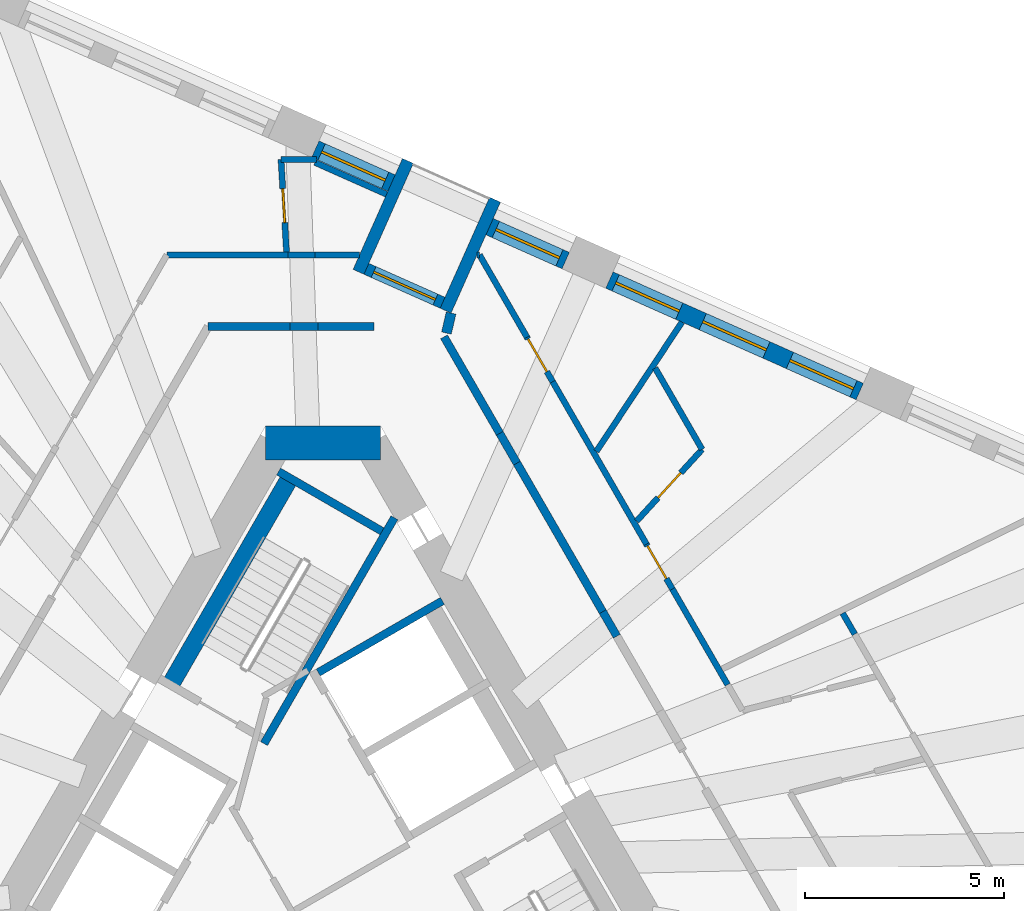
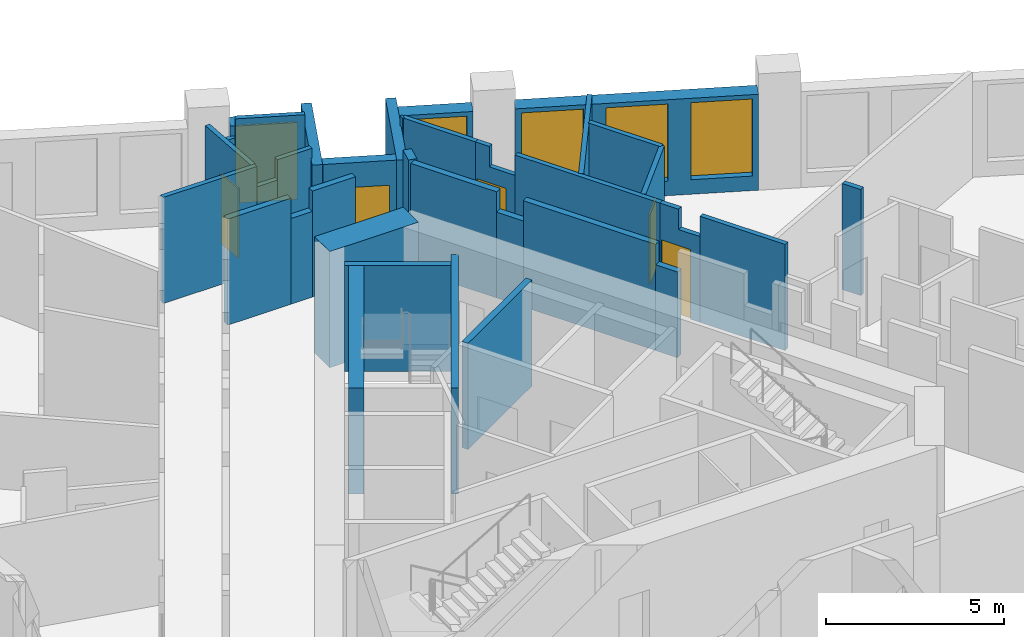
# One storey, part 8 of 14: 35 walls, 5 doors, 5 windows, 10 openings.
"""IFC4 building model written with IfcOpenShell, lengths in metres."""

from ifc_helpers import new_model, si_unit, direction, frame, frame_2d, origin, place, context, subcontext, project, spatial, polyline, rectangle, outline, extrude, material, layer, layer_set, type_object, element, fill, save


model = new_model("IFC4")

# Units and contexts
model_context = context("Model", 3, precision=1e-05, world=origin(), true_north=direction((0.0, 1.0)))
body_context = subcontext(model_context, "Body", "Model", "MODEL_VIEW")
ifc_project = project(units=[si_unit("LENGTHUNIT", "METRE"), si_unit("AREAUNIT", "SQUARE_METRE"), si_unit("VOLUMEUNIT", "CUBIC_METRE"), si_unit("PLANEANGLEUNIT", "RADIAN"), si_unit("MASSUNIT", "GRAM", prefix="KILO")], contexts=[model_context])

# Site, building, storey
site_placement = place(None, origin())
site = spatial("IfcSite", under=ifc_project, at=site_placement, CompositionType="ELEMENT")
building_placement = place(site_placement, origin())
building = spatial("IfcBuilding", under=site, at=building_placement, Name="Tramontana Tower", CompositionType="ELEMENT")
storey_placement = place(building_placement, frame((0.0, 0.0, 182.800048828125)))
storey = spatial("IfcBuildingStorey", under=building, at=storey_placement, Name="L42", CompositionType="ELEMENT", Elevation=182.800048828125)

# Walls
ifc_material_1 = material(Name="Concrete 70 MPa", Category="concrete")
ifc_layer_1 = layer(ifc_material_1, 0.85009765625)
ifc_layer_set_1 = layer_set([ifc_layer_1], Name="Core wall 850 70 MPa")
wall_type_1 = type_object("IfcWallType", Name="Core wall 850 70 MPa", PredefinedType="SHEAR", material=ifc_layer_set_1)
wall_1_placement = place(storey_placement, frame((1.443359375, 10.574951171875, 0.0), z_axis=(0.0, 0.0, 1.0), x_axis=(-1.0, 0.0, 0.0)))
element("IfcWall", 1, at=wall_1_placement, inside=storey, type_object=wall_type_1, Name="Core wall C0 L42", PredefinedType="SHEAR", context=body_context, shape_type="SweptSolid", body=[
    extrude(rectangle(XDim=2.88671875, YDim=0.85009765625, at=frame_2d((1.443359375, 0.0))), origin(), (0.0, 0.0, 1.0), 4.0),
])
ifc_material_2 = material(Name="Blockwork", Category="masonry")
ifc_layer_2 = layer(ifc_material_2, 0.199951171875)
ifc_layer_set_2 = layer_set([ifc_layer_2], Name="ENTRY WALL 200")
wall_type_2 = type_object("IfcWallType", Name="ENTRY WALL 200", PredefinedType="SOLIDWALL", material=ifc_layer_set_2)
wall_2_placement = place(storey_placement, frame((3.034912109375, 13.243408203125, 0.0), z_axis=(0.0, 0.0, 1.0), x_axis=(0.499976698542, -0.86603885647, 0.0)))
element("IfcWall", 2, at=wall_2_placement, inside=storey, type_object=wall_type_2, Name="Wall v41-ew0-0", PredefinedType="SOLIDWALL", context=body_context, shape_type="SweptSolid", body=[
    extrude(rectangle(XDim=2.798583984375, YDim=0.199951171875, at=frame_2d((1.3994140625, 0.0))), origin(), (0.0, 0.0, 1.0), 3.64990234375),
])
wall_3_placement = place(storey_placement, frame((4.43408203125, 10.81982421875, 0.0), z_axis=(0.0, 0.0, 1.0), x_axis=(0.500023708017, -0.866011715522, 0.0)))
element("IfcWall", 3, at=wall_3_placement, inside=storey, type_object=wall_type_2, Name="Wall v41-ew0-1", PredefinedType="SOLIDWALL", context=body_context, shape_type="SweptSolid", body=[
    extrude(rectangle(XDim=0.865234375, YDim=0.199951171875, at=frame_2d((0.4326171875, 0.0))), origin(), (0.0, 0.0, 1.0), 2.949951171875),
])
wall_4_placement = place(storey_placement, frame((4.86669921875, 10.070556640625, 0.0), z_axis=(0.0, 0.0, 1.0), x_axis=(0.499992344383, -0.866029823712, 0.0)))
element("IfcWall", 4, at=wall_4_placement, inside=storey, type_object=wall_type_2, Name="Wall v41-ew0-2", PredefinedType="SOLIDWALL", context=body_context, shape_type="SweptSolid", body=[
    extrude(rectangle(XDim=4.306640625, YDim=0.199951171875, at=frame_2d((2.1533203125, 0.0))), origin(), (0.0, 0.0, 1.0), 3.64990234375),
])
wall_5_placement = place(storey_placement, frame((7.02001953125, 6.3408203125, 0.0), z_axis=(0.0, 0.0, 1.0), x_axis=(0.50012879774, -0.865951029603, 0.0)))
element("IfcWall", 5, at=wall_5_placement, inside=storey, type_object=wall_type_2, Name="Wall v41-ew0-3", PredefinedType="SOLIDWALL", context=body_context, shape_type="SweptSolid", body=[
    extrude(rectangle(XDim=0.710693359375, YDim=0.199951171875, at=frame_2d((0.35546875, 0.0))), origin(), (0.0, 0.0, 1.0), 2.949951171875),
])
wall_6_placement = place(storey_placement, frame((-2.88671875, 13.5, 0.0), z_axis=(0.0, 0.0, 1.0), x_axis=(1.0, 0.0, 0.0)))
element("IfcWall", 6, at=wall_6_placement, inside=storey, type_object=wall_type_2, Name="Wall v41-ew5-0", PredefinedType="SOLIDWALL", context=body_context, shape_type="SweptSolid", body=[
    extrude(rectangle(XDim=2.057861328125, YDim=0.199951171875, at=frame_2d((1.02880859375, 0.0))), origin(), (0.0, 0.0, 1.0), 3.64990234375),
])
wall_7_placement = place(storey_placement, frame((-0.828857421875, 13.5, 0.0), z_axis=(0.0, 0.0, 1.0), x_axis=(1.0, 0.0, 0.0)))
element("IfcWall", 7, at=wall_7_placement, inside=storey, type_object=wall_type_2, Name="Wall v41-ew5-1", PredefinedType="SOLIDWALL", context=body_context, shape_type="SweptSolid", body=[
    extrude(rectangle(XDim=0.700439453125, YDim=0.199951171875, at=frame_2d((0.35009765625, 0.0))), origin(), (0.0, 0.0, 1.0), 2.949951171875),
])
wall_8_placement = place(storey_placement, frame((-0.12841796875, 13.5, 0.0), z_axis=(0.0, 0.0, 1.0), x_axis=(1.0, 0.0, 0.0)))
element("IfcWall", 8, at=wall_8_placement, inside=storey, type_object=wall_type_2, Name="Wall v41-ew5-2", PredefinedType="SOLIDWALL", context=body_context, shape_type="SweptSolid", body=[
    extrude(rectangle(XDim=1.39990234375, YDim=0.199951171875, at=frame_2d((0.699951171875, 0.0))), origin(), (0.0, 0.0, 1.0), 3.64990234375),
])

# Wall, openings, windows
ifc_material_3 = material(Name="Precast concrete 60 MPa", Category="concrete")
ifc_layer_3 = layer(ifc_material_3, 0.449951171875)
ifc_layer_set_3 = layer_set([ifc_layer_3], Name="Precast concrete 60 MPa, 450 mm")
wall_type_3 = type_object("IfcWallType", Name="EW1 Stone-faced precast wall 450", PredefinedType="SOLIDWALL", material=ifc_layer_set_3)
wall_9_placement = place(storey_placement, frame((13.475830078125, 11.8701171875, 0.0), z_axis=(0.0, 0.0, 1.0), x_axis=(-0.913543675585, 0.40674064562, 0.0)))
wall_9 = element("IfcWall", 9, at=wall_9_placement, inside=storey, type_object=wall_type_3, Name="External wall L42 face 2 bay 3", PredefinedType="SOLIDWALL", context=body_context, shape_type="SweptSolid", body=[
    extrude(rectangle(XDim=6.8828125, YDim=0.449951171875, at=frame_2d((3.44140625, 0.0))), origin(), (0.0, 0.0, 1.0), 3.300048828125),
])
opening_1_placement = place(wall_9_placement, frame((0.172119140625, 0.0, 0.5)))
opening_1 = element("IfcOpeningElement", 10, at=opening_1_placement, cuts=wall_9, Name="Opening M2", PredefinedType="OPENING", context=body_context, shape_type="SweptSolid", body=[
    extrude(rectangle(XDim=1.75, YDim=2.64990234375, at=frame_2d((0.875, 1.324951171875))), frame((0.0, 0.23486328125, 0.0), z_axis=(0.0, -1.0, 0.0), x_axis=(1.0, 0.0, 0.0)), (0.0, 0.0, 1.0), 0.469970703125),
])
opening_2_placement = place(wall_9_placement, frame((2.56640625, 0.0, 0.5)))
opening_2 = element("IfcOpeningElement", 11, at=opening_2_placement, cuts=wall_9, Name="Opening M2", PredefinedType="OPENING", context=body_context, shape_type="SweptSolid", body=[
    extrude(rectangle(XDim=1.75, YDim=2.64990234375, at=frame_2d((0.875, 1.324951171875))), frame((0.0, 0.23486328125, 0.0), z_axis=(0.0, -1.0, 0.0), x_axis=(1.0, 0.0, 0.0)), (0.0, 0.0, 1.0), 0.469970703125),
])
opening_3_placement = place(wall_9_placement, frame((4.960693359375, 0.0, 0.5)))
opening_3 = element("IfcOpeningElement", 12, at=opening_3_placement, cuts=wall_9, Name="Opening M2", PredefinedType="OPENING", context=body_context, shape_type="SweptSolid", body=[
    extrude(rectangle(XDim=1.75, YDim=2.64990234375, at=frame_2d((0.875, 1.324951171875))), frame((0.0, 0.23486328125, 0.0), z_axis=(0.0, -1.0, 0.0), x_axis=(1.0, 0.0, 0.0)), (0.0, 0.0, 1.0), 0.469970703125),
])
ifc_material_4 = material(Name="Aluminum frame, double glazing unit", Category="aluminium")
window_type = type_object("IfcWindowType", Name="M2 Window 1.75 x 2.65", PartitioningType="SINGLE_PANEL", PredefinedType="WINDOW", material=ifc_material_4)
window_1_placement = place(opening_1_placement, origin())
window_1 = element("IfcWindow", 13, at=window_1_placement, inside=storey, type_object=window_type, Name="Window M2 L42 face 2 module 7", OverallHeight=2.64990234375, OverallWidth=1.75, PartitioningType="SINGLE_PANEL", PredefinedType="WINDOW", context=body_context, shape_type="SweptSolid", body=[
    extrude(rectangle(XDim=1.75, YDim=2.64990234375, at=frame_2d((0.875, 1.324951171875))), frame((0.0, 0.030029296875, 0.0), z_axis=(0.0, -1.0, 0.0), x_axis=(1.0, 0.0, 0.0)), (0.0, 0.0, 1.0), 0.06005859375),
])
fill(opening_1, window_1)
window_2_placement = place(opening_2_placement, origin())
window_2 = element("IfcWindow", 14, at=window_2_placement, inside=storey, type_object=window_type, Name="Window M2 L42 face 2 module 8", OverallHeight=2.64990234375, OverallWidth=1.75, PartitioningType="SINGLE_PANEL", PredefinedType="WINDOW", context=body_context, shape_type="SweptSolid", body=[
    extrude(rectangle(XDim=1.75, YDim=2.64990234375, at=frame_2d((0.875, 1.324951171875))), frame((0.0, 0.030029296875, 0.0), z_axis=(0.0, -1.0, 0.0), x_axis=(1.0, 0.0, 0.0)), (0.0, 0.0, 1.0), 0.06005859375),
])
fill(opening_2, window_2)
window_3_placement = place(opening_3_placement, origin())
window_3 = element("IfcWindow", 15, at=window_3_placement, inside=storey, type_object=window_type, Name="Window M2 L42 face 2 module 9", OverallHeight=2.64990234375, OverallWidth=1.75, PartitioningType="SINGLE_PANEL", PredefinedType="WINDOW", context=body_context, shape_type="SweptSolid", body=[
    extrude(rectangle(XDim=1.75, YDim=2.64990234375, at=frame_2d((0.875, 1.324951171875))), frame((0.0, 0.030029296875, 0.0), z_axis=(0.0, -1.0, 0.0), x_axis=(1.0, 0.0, 0.0)), (0.0, 0.0, 1.0), 0.06005859375),
])
fill(opening_3, window_3)

# Wall, opening, window
wall_10_placement = place(storey_placement, frame((6.091796875, 15.15771484375, 0.0), z_axis=(0.0, 0.0, 1.0), x_axis=(-0.913537312596, 0.406754936657, 0.0)))
wall_10 = element("IfcWall", 16, at=wall_10_placement, inside=storey, type_object=wall_type_3, Name="External wall L42 face 2 bay 4", PredefinedType="SOLIDWALL", context=body_context, shape_type="SweptSolid", body=[
    extrude(rectangle(XDim=2.09423828125, YDim=0.449951171875, at=frame_2d((1.047119140625, 0.0))), origin(), (0.0, 0.0, 1.0), 3.300048828125),
])
opening_4_placement = place(wall_10_placement, frame((0.172119140625, 0.0, 0.5)))
opening_4 = element("IfcOpeningElement", 17, at=opening_4_placement, cuts=wall_10, Name="Opening M2", PredefinedType="OPENING", context=body_context, shape_type="SweptSolid", body=[
    extrude(rectangle(XDim=1.75, YDim=2.64990234375, at=frame_2d((0.875, 1.324951171875))), frame((0.0, 0.23486328125, 0.0), z_axis=(0.0, -1.0, 0.0), x_axis=(1.0, 0.0, 0.0)), (0.0, 0.0, 1.0), 0.469970703125),
])
window_4_placement = place(opening_4_placement, origin())
window_4 = element("IfcWindow", 18, at=window_4_placement, inside=storey, type_object=window_type, Name="Window M2 L42 face 2 module 10", OverallHeight=2.64990234375, OverallWidth=1.75, PartitioningType="SINGLE_PANEL", PredefinedType="WINDOW", context=body_context, shape_type="SweptSolid", body=[
    extrude(rectangle(XDim=1.75, YDim=2.64990234375, at=frame_2d((0.875, 1.324951171875))), frame((0.0, 0.030029296875, 0.0), z_axis=(0.0, -1.0, 0.0), x_axis=(1.0, 0.0, 0.0)), (0.0, 0.0, 1.0), 0.06005859375),
])
fill(opening_4, window_4)

wall_11_placement = place(storey_placement, frame((1.71728515625, 17.10546875, 0.0), z_axis=(0.0, 0.0, 1.0), x_axis=(-0.913556597974, 0.40671162056, 0.0)))
wall_11 = element("IfcWall", 19, at=wall_11_placement, inside=storey, type_object=wall_type_3, Name="External wall L42 face 2 bay 4", PredefinedType="SOLIDWALL", context=body_context, shape_type="SweptSolid", body=[
    extrude(rectangle(XDim=2.094482421875, YDim=0.449951171875, at=frame_2d((1.04736328125, 0.0))), origin(), (0.0, 0.0, 1.0), 3.300048828125),
])
opening_5_placement = place(wall_11_placement, frame((0.172119140625, 0.0, 0.5)))
opening_5 = element("IfcOpeningElement", 20, at=opening_5_placement, cuts=wall_11, Name="Opening M2", PredefinedType="OPENING", context=body_context, shape_type="SweptSolid", body=[
    extrude(rectangle(XDim=1.75, YDim=2.64990234375, at=frame_2d((0.875, 1.324951171875))), frame((0.0, 0.23486328125, 0.0), z_axis=(0.0, -1.0, 0.0), x_axis=(1.0, 0.0, 0.0)), (0.0, 0.0, 1.0), 0.469970703125),
])
window_5_placement = place(opening_5_placement, origin())
window_5 = element("IfcWindow", 21, at=window_5_placement, inside=storey, type_object=window_type, Name="Window M2 L42 face 2 module 12", OverallHeight=2.64990234375, OverallWidth=1.75, PartitioningType="SINGLE_PANEL", PredefinedType="WINDOW", context=body_context, shape_type="SweptSolid", body=[
    extrude(rectangle(XDim=1.75, YDim=2.64990234375, at=frame_2d((0.875, 1.324951171875))), frame((0.0, 0.030029296875, 0.0), z_axis=(0.0, -1.0, 0.0), x_axis=(1.0, 0.0, 0.0)), (0.0, 0.0, 1.0), 0.06005859375),
])
fill(opening_5, window_5)

# Wall, opening, door
ifc_material_5 = material(Name="Precast concrete 60 MPa", Category="concrete")
ifc_layer_4 = layer(ifc_material_5, 0.300048828125)
ifc_layer_set_4 = layer_set([ifc_layer_4], Name="LW1 Stone-faced loggia wall 300")
wall_type_4 = type_object("IfcWallType", Name="LW1 Stone-faced loggia wall 300", PredefinedType="SOLIDWALL", material=ifc_layer_set_4)
wall_12_placement = place(storey_placement, frame((2.99951171875, 14.098876953125, 0.0), z_axis=(0.0, 0.0, 1.0), x_axis=(-0.913537312596, 0.406754936657, 0.0)))
wall_12 = element("IfcWall", 22, at=wall_12_placement, inside=storey, type_object=wall_type_4, Name="Loggia wall L42 G4S2.10", PredefinedType="SOLIDWALL", context=body_context, shape_type="SweptSolid", body=[
    extrude(rectangle(XDim=2.09423828125, YDim=0.300048828125, at=frame_2d((1.047119140625, 0.0))), origin(), (0.0, 0.0, 1.0), 3.300048828125),
])
opening_6_placement = place(wall_12_placement, frame((0.197265625, 0.0, 0.0)))
opening_6 = element("IfcOpeningElement", 23, at=opening_6_placement, cuts=wall_12, Name="Opening BD-4S2-10", PredefinedType="OPENING", context=body_context, shape_type="SweptSolid", body=[
    extrude(rectangle(XDim=1.699951171875, YDim=2.449951171875, at=frame_2d((0.85009765625, 1.22509765625))), frame((0.0, 0.159912109375, 0.0), z_axis=(0.0, -1.0, 0.0), x_axis=(1.0, 0.0, 0.0)), (0.0, 0.0, 1.0), 0.320068359375),
])
ifc_material_6 = material(Name="Aluminum frame, double glazing unit", Category="aluminium")
door_type_1 = type_object("IfcDoorType", Name="BD2 Sliding door 1.7 x 2.45", OperationType="SLIDING_TO_LEFT", PredefinedType="DOOR", material=ifc_material_6)
door_1_placement = place(opening_6_placement, origin())
door_1 = element("IfcDoor", 24, at=door_1_placement, inside=storey, type_object=door_type_1, Name="Loggia door L42 G4S2.10", OperationType="SLIDING_TO_LEFT", OverallHeight=2.449951171875, OverallWidth=1.699951171875, PredefinedType="DOOR", context=body_context, shape_type="SweptSolid", body=[
    extrude(rectangle(XDim=1.699951171875, YDim=2.449951171875, at=frame_2d((0.85009765625, 1.22509765625))), frame((0.0, 0.02490234375, 0.0), z_axis=(0.0, -1.0, 0.0), x_axis=(1.0, 0.0, 0.0)), (0.0, 0.0, 1.0), 0.050048828125),
])
fill(opening_6, door_1)

# Walls
wall_13_placement = place(storey_placement, frame((4.316162109375, 16.687255859375, 0.0), z_axis=(0.0, 0.0, 1.0), x_axis=(-0.406710256677, -0.913557205168, 0.0)))
element("IfcWall", 25, at=wall_13_placement, inside=storey, type_object=wall_type_4, Name="Loggia return L42 G4S2.10a", PredefinedType="SOLIDWALL", context=body_context, shape_type="SweptSolid", body=[
    extrude(rectangle(XDim=3.050048828125, YDim=0.300048828125, at=frame_2d((1.52490234375, 0.0))), origin(), (0.0, 0.0, 1.0), 3.300048828125),
])
wall_14_placement = place(storey_placement, frame((2.12890625, 17.660888671875, 0.0), z_axis=(0.0, 0.0, 1.0), x_axis=(-0.406806804169, -0.913514216683, 0.0)))
element("IfcWall", 26, at=wall_14_placement, inside=storey, type_object=wall_type_4, Name="Loggia return L42 G4S2.10b", PredefinedType="SOLIDWALL", context=body_context, shape_type="SweptSolid", body=[
    extrude(rectangle(XDim=3.0498046875, YDim=0.300048828125, at=frame_2d((1.52490234375, 0.0))), origin(), (0.0, 0.0, 1.0), 3.300048828125),
])
ifc_material_7 = material(Name="Gypsum board partition")
ifc_layer_5 = layer(ifc_material_7, 0.14990234375)
ifc_layer_set_5 = layer_set([ifc_layer_5], Name="PARTITION 150")
wall_type_5 = type_object("IfcWallType", Name="PARTITION 150", PredefinedType="PARTITIONING", material=ifc_layer_set_5)
wall_15_placement = place(storey_placement, frame((-3.92578125, 15.300048828125, 0.0), z_axis=(0.0, 0.0, 1.0), x_axis=(1.0, 0.0, 0.0)))
element("IfcWall", 27, at=wall_15_placement, inside=storey, type_object=wall_type_5, Name="Wall v41-pw23-0", PredefinedType="PARTITIONING", context=body_context, shape_type="SweptSolid", body=[
    extrude(rectangle(XDim=3.045654296875, YDim=0.14990234375, at=frame_2d((1.52294921875, 0.0))), origin(), (0.0, 0.0, 1.0), 3.64990234375),
])
wall_16_placement = place(storey_placement, frame((-0.880126953125, 15.300048828125, 0.0), z_axis=(0.0, 0.0, 1.0), x_axis=(1.0, 0.0, 0.0)))
element("IfcWall", 28, at=wall_16_placement, inside=storey, type_object=wall_type_5, Name="Wall v41-pw23-1", PredefinedType="PARTITIONING", context=body_context, shape_type="SweptSolid", body=[
    extrude(rectangle(XDim=0.67529296875, YDim=0.14990234375, at=frame_2d((0.337646484375, 0.0))), origin(), (0.0, 0.0, 1.0), 2.949951171875),
])
wall_17_placement = place(storey_placement, frame((-0.204833984375, 15.300048828125, 0.0), z_axis=(0.0, 0.0, 1.0), x_axis=(1.0, 0.0, 0.0)))
element("IfcWall", 29, at=wall_17_placement, inside=storey, type_object=wall_type_5, Name="Wall v41-pw23-2", PredefinedType="PARTITIONING", context=body_context, shape_type="SweptSolid", body=[
    extrude(rectangle(XDim=1.1181640625, YDim=0.14990234375, at=frame_2d((0.55908203125, 0.0))), origin(), (0.0, 0.0, 1.0), 3.64990234375),
])
wall_18_placement = place(storey_placement, frame((-1.05859375, 17.699951171875, 0.0), z_axis=(0.0, 0.0, 1.0), x_axis=(1.0, 0.0, 0.0)))
element("IfcWall", 30, at=wall_18_placement, inside=storey, type_object=wall_type_5, Name="Wall v41-pw25-0", PredefinedType="PARTITIONING", context=body_context, shape_type="SweptSolid", body=[
    extrude(rectangle(XDim=0.88720703125, YDim=0.14990234375, at=frame_2d((0.443603515625, 0.0))), origin(), (0.0, 0.0, 1.0), 2.949951171875),
])

# Wall, opening, door
wall_19_placement = place(storey_placement, frame((-1.05859375, 17.699951171875, 0.0), z_axis=(0.0, 0.0, 1.0), x_axis=(0.059643707448, -0.998219729399, 0.0)))
wall_19 = element("IfcWall", 31, at=wall_19_placement, inside=storey, type_object=wall_type_5, Name="Wall v41-pw27", PredefinedType="PARTITIONING", context=body_context, shape_type="SweptSolid", body=[
    extrude(rectangle(XDim=2.3291015625, YDim=0.14990234375, at=frame_2d((1.16455078125, 0.0))), origin(), (0.0, 0.0, 1.0), 3.64990234375),
])
opening_7_placement = place(wall_19_placement, frame((0.739501953125, 0.0, 0.0)))
opening_7 = element("IfcOpeningElement", 32, at=opening_7_placement, cuts=wall_19, Name="Opening B4B-06", PredefinedType="OPENING", context=body_context, shape_type="SweptSolid", body=[
    extrude(rectangle(XDim=0.85009765625, YDim=2.39990234375, at=frame_2d((0.425048828125, 1.199951171875))), frame((0.0, 0.0849609375, 0.0), z_axis=(0.0, -1.0, 0.0), x_axis=(1.0, 0.0, 0.0)), (0.0, 0.0, 1.0), 0.169921875),
])
ifc_material_8 = material(Name="Painted timber", Category="wood")
door_type_2 = type_object("IfcDoorType", Name="DOOR BATH 850", OperationType="SINGLE_SWING_LEFT", PredefinedType="DOOR", material=ifc_material_8)
door_2_placement = place(opening_7_placement, origin())
door_2 = element("IfcDoor", 33, at=door_2_placement, inside=storey, type_object=door_type_2, Name="Door B4B-06", OperationType="SINGLE_SWING_RIGHT", OverallHeight=2.39990234375, OverallWidth=0.85009765625, PredefinedType="DOOR", context=body_context, shape_type="SweptSolid", body=[
    extrude(rectangle(XDim=0.85009765625, YDim=2.39990234375, at=frame_2d((0.425048828125, 1.199951171875))), frame((0.0, 0.02490234375, 0.0), z_axis=(0.0, -1.0, 0.0), x_axis=(1.0, 0.0, 0.0)), (0.0, 0.0, 1.0), 0.050048828125),
])
fill(opening_7, door_2)

# Walls
wall_20_placement = place(storey_placement, frame((-0.2060546875, 17.622314453125, 0.0), z_axis=(0.0, 0.0, 1.0), x_axis=(0.91356059905, -0.406702633214, 0.0)))
element("IfcWall", 34, at=wall_20_placement, inside=storey, type_object=wall_type_5, Name="Wall v41-pw29", PredefinedType="PARTITIONING", context=body_context, shape_type="SweptSolid", body=[
    extrude(rectangle(XDim=1.967041015625, YDim=0.14990234375, at=frame_2d((0.9833984375, 0.0))), origin(), (0.0, 0.0, 1.0), 3.64990234375),
])
wall_21_placement = place(storey_placement, frame((3.86279296875, 15.300048828125, 0.0), z_axis=(0.0, 0.0, 1.0), x_axis=(1.0, 0.0, 0.0)))
element("IfcWall", 35, at=wall_21_placement, inside=storey, type_object=wall_type_5, Name="Wall v41-pw32", PredefinedType="PARTITIONING", context=body_context, shape_type="SweptSolid", body=[
    extrude(rectangle(XDim=0.063232421875, YDim=0.14990234375, at=frame_2d((0.03173828125, 0.0))), origin(), (0.0, 0.0, 1.0), 3.64990234375),
])
wall_22_placement = place(storey_placement, frame((3.926025390625, 15.300048828125, 0.0), z_axis=(0.0, 0.0, 1.0), x_axis=(0.499958704643, -0.866049244357, 0.0)))
element("IfcWall", 36, at=wall_22_placement, inside=storey, type_object=wall_type_5, Name="Wall v41-pw33-0", PredefinedType="PARTITIONING", context=body_context, shape_type="SweptSolid", body=[
    extrude(rectangle(XDim=2.385498046875, YDim=0.14990234375, at=frame_2d((1.19287109375, 0.0))), origin(), (0.0, 0.0, 1.0), 3.64990234375),
])

# Wall, opening, door
wall_23_placement = place(storey_placement, frame((5.11865234375, 13.234130859375, 0.0), z_axis=(0.0, 0.0, 1.0), x_axis=(0.49998445949, -0.866034375916, 0.0)))
wall_23 = element("IfcWall", 37, at=wall_23_placement, inside=storey, type_object=wall_type_5, Name="Wall v41-pw33-1", PredefinedType="PARTITIONING", context=body_context, shape_type="SweptSolid", body=[
    extrude(outline(polyline([(0.0, 0.0), (1.29052734375, 0.0), (1.29052734375, 2.949951171875), (0.456298828125, 2.949951171875), (0.456298828125, 3.64990234375), (0.0, 3.64990234375), (0.0, 0.0)])), frame((0.0, 0.074951171875, 0.0), z_axis=(0.0, -1.0, 0.0), x_axis=(1.0, 0.0, 0.0)), (0.0, 0.0, 1.0), 0.14990234375),
])
opening_8_placement = place(wall_23_placement, frame((0.050048828125, 0.0, 0.0)))
opening_8 = element("IfcOpeningElement", 38, at=opening_8_placement, cuts=wall_23, Name="Opening B4B-20", PredefinedType="OPENING", context=body_context, shape_type="SweptSolid", body=[
    extrude(rectangle(XDim=0.949951171875, YDim=2.39990234375, at=frame_2d((0.47509765625, 1.199951171875))), frame((0.0, 0.0849609375, 0.0), z_axis=(0.0, -1.0, 0.0), x_axis=(1.0, 0.0, 0.0)), (0.0, 0.0, 1.0), 0.169921875),
])
ifc_material_9 = material(Name="Painted timber", Category="wood")
door_type_3 = type_object("IfcDoorType", Name="DOOR ROOM 950", OperationType="SINGLE_SWING_LEFT", PredefinedType="DOOR", material=ifc_material_9)
door_3_placement = place(opening_8_placement, origin())
door_3 = element("IfcDoor", 39, at=door_3_placement, inside=storey, type_object=door_type_3, Name="Door B4B-20", OperationType="SINGLE_SWING_RIGHT", OverallHeight=2.39990234375, OverallWidth=0.949951171875, PredefinedType="DOOR", context=body_context, shape_type="SweptSolid", body=[
    extrude(rectangle(XDim=0.949951171875, YDim=2.39990234375, at=frame_2d((0.47509765625, 1.199951171875))), frame((0.0, 0.02490234375, 0.0), z_axis=(0.0, -1.0, 0.0), x_axis=(1.0, 0.0, 0.0)), (0.0, 0.0, 1.0), 0.050048828125),
])
fill(opening_8, door_3)

# Wall
wall_24_placement = place(storey_placement, frame((5.763916015625, 12.116455078125, 0.0), z_axis=(0.0, 0.0, 1.0), x_axis=(0.500024556659, -0.866011225527, 0.0)))
element("IfcWall", 40, at=wall_24_placement, inside=storey, type_object=wall_type_5, Name="Wall v41-pw33-2", PredefinedType="PARTITIONING", context=body_context, shape_type="SweptSolid", body=[
    extrude(rectangle(XDim=4.710205078125, YDim=0.14990234375, at=frame_2d((2.35498046875, 0.0))), origin(), (0.0, 0.0, 1.0), 3.64990234375),
])

# Wall, opening, door
wall_25_placement = place(storey_placement, frame((8.119140625, 8.037353515625, 0.0), z_axis=(0.0, 0.0, 1.0), x_axis=(0.499993127296, -0.866029371706, 0.0)))
wall_25 = element("IfcWall", 41, at=wall_25_placement, inside=storey, type_object=wall_type_5, Name="Wall v41-pw33-3", PredefinedType="PARTITIONING", context=body_context, shape_type="SweptSolid", body=[
    extrude(outline(polyline([(0.0, 0.0), (1.30126953125, 0.0), (1.30126953125, 2.949951171875), (0.615966796875, 2.949951171875), (0.615966796875, 3.64990234375), (0.0, 3.64990234375), (0.0, 0.0)])), frame((0.0, 0.074951171875, 0.0), z_axis=(0.0, -1.0, 0.0), x_axis=(1.0, 0.0, 0.0)), (0.0, 0.0, 1.0), 0.14990234375),
])
opening_9_placement = place(wall_25_placement, frame((0.050048828125, 0.0, 0.0)))
opening_9 = element("IfcOpeningElement", 42, at=opening_9_placement, cuts=wall_25, Name="Opening B4B-19", PredefinedType="OPENING", context=body_context, shape_type="SweptSolid", body=[
    extrude(rectangle(XDim=0.949951171875, YDim=2.39990234375, at=frame_2d((0.47509765625, 1.199951171875))), frame((0.0, 0.0849609375, 0.0), z_axis=(0.0, -1.0, 0.0), x_axis=(1.0, 0.0, 0.0)), (0.0, 0.0, 1.0), 0.169921875),
])
door_4_placement = place(opening_9_placement, origin())
door_4 = element("IfcDoor", 43, at=door_4_placement, inside=storey, type_object=door_type_3, Name="Door B4B-19", OperationType="SINGLE_SWING_LEFT", OverallHeight=2.39990234375, OverallWidth=0.949951171875, PredefinedType="DOOR", context=body_context, shape_type="SweptSolid", body=[
    extrude(rectangle(XDim=0.949951171875, YDim=2.39990234375, at=frame_2d((0.47509765625, 1.199951171875))), frame((0.0, 0.02490234375, 0.0), z_axis=(0.0, -1.0, 0.0), x_axis=(1.0, 0.0, 0.0)), (0.0, 0.0, 1.0), 0.050048828125),
])
fill(opening_9, door_4)

# Walls
wall_26_placement = place(storey_placement, frame((8.769775390625, 6.910400390625, 0.0), z_axis=(0.0, 0.0, 1.0), x_axis=(0.50000932403, -0.866020020486, 0.0)))
element("IfcWall", 44, at=wall_26_placement, inside=storey, type_object=wall_type_5, Name="Wall v41-pw33-4", PredefinedType="PARTITIONING", context=body_context, shape_type="SweptSolid", body=[
    extrude(rectangle(XDim=2.77490234375, YDim=0.14990234375, at=frame_2d((1.387451171875, 0.0))), origin(), (0.0, 0.0, 1.0), 3.64990234375),
])
wall_27_placement = place(storey_placement, frame((6.861328125, 10.365966796875, 0.0), z_axis=(0.0, 0.0, 1.0), x_axis=(0.551889349285, 0.833917349709, 0.0)))
element("IfcWall", 45, at=wall_27_placement, inside=storey, type_object=wall_type_5, Name="Wall v41-pw38", PredefinedType="PARTITIONING", context=body_context, shape_type="SweptSolid", body=[
    extrude(rectangle(XDim=3.892822265625, YDim=0.14990234375, at=frame_2d((1.9462890625, 0.0))), origin(), (0.0, 0.0, 1.0), 3.64990234375),
])
wall_28_placement = place(storey_placement, frame((8.3369140625, 12.4599609375, 0.0), z_axis=(0.0, 0.0, 1.0), x_axis=(0.500032858622, -0.866006432019, 0.0)))
element("IfcWall", 46, at=wall_28_placement, inside=storey, type_object=wall_type_5, Name="Wall v41-pw39", PredefinedType="PARTITIONING", context=body_context, shape_type="SweptSolid", body=[
    extrude(rectangle(XDim=2.360107421875, YDim=0.14990234375, at=frame_2d((1.18017578125, 0.0))), origin(), (0.0, 0.0, 1.0), 3.64990234375),
])

# Wall, opening, door
wall_29_placement = place(storey_placement, frame((7.871826171875, 8.615478515625, 0.0), z_axis=(0.0, 0.0, 1.0), x_axis=(0.674558873368, 0.738221055214, 0.0)))
wall_29 = element("IfcWall", 47, at=wall_29_placement, inside=storey, type_object=wall_type_5, Name="Wall v41-pw40", PredefinedType="PARTITIONING", context=body_context, shape_type="SweptSolid", body=[
    extrude(rectangle(XDim=2.43896484375, YDim=0.14990234375, at=frame_2d((1.219482421875, 0.0))), origin(), (0.0, 0.0, 1.0), 3.64990234375),
])
opening_10_placement = place(wall_29_placement, frame((0.79443359375, 0.0, 0.0)))
opening_10 = element("IfcOpeningElement", 48, at=opening_10_placement, cuts=wall_29, Name="Opening B4B-22", PredefinedType="OPENING", context=body_context, shape_type="SweptSolid", body=[
    extrude(rectangle(XDim=0.85009765625, YDim=2.39990234375, at=frame_2d((0.425048828125, 1.199951171875))), frame((0.0, 0.0849609375, 0.0), z_axis=(0.0, -1.0, 0.0), x_axis=(1.0, 0.0, 0.0)), (0.0, 0.0, 1.0), 0.169921875),
])
door_5_placement = place(opening_10_placement, origin())
door_5 = element("IfcDoor", 49, at=door_5_placement, inside=storey, type_object=door_type_2, Name="Door B4B-22", OperationType="SINGLE_SWING_RIGHT", OverallHeight=2.39990234375, OverallWidth=0.85009765625, PredefinedType="DOOR", context=body_context, shape_type="SweptSolid", body=[
    extrude(rectangle(XDim=0.85009765625, YDim=2.39990234375, at=frame_2d((0.425048828125, 1.199951171875))), frame((0.0, 0.02490234375, 0.0), z_axis=(0.0, -1.0, 0.0), x_axis=(1.0, 0.0, 0.0)), (0.0, 0.0, 1.0), 0.050048828125),
])
fill(opening_10, door_5)

# Walls
wall_30_placement = place(storey_placement, frame((13.046875, 6.30224609375, 0.0), z_axis=(0.0, 0.0, 1.0), x_axis=(0.500116839517, -0.865957935948, 0.0)))
element("IfcWall", 50, at=wall_30_placement, inside=storey, type_object=wall_type_5, Name="Wall v41-pw44-0", PredefinedType="PARTITIONING", context=body_context, shape_type="SweptSolid", body=[
    extrude(rectangle(XDim=0.607177734375, YDim=0.14990234375, at=frame_2d((0.3037109375, 0.0))), origin(), (0.0, 0.0, 1.0), 3.64990234375),
])
ifc_material_10 = material(Name="Blockwork", Category="masonry")
ifc_layer_6 = layer(ifc_material_10, 0.25)
ifc_layer_set_6 = layer_set([ifc_layer_6], Name="PARTY WALL 250")
wall_type_6 = type_object("IfcWallType", Name="PARTY WALL 250", PredefinedType="SOLIDWALL", material=ifc_layer_set_6)
wall_31_placement = place(storey_placement, frame((3.212646484375, 13.83984375, 0.0), z_axis=(0.0, 0.0, 1.0), x_axis=(-0.226346335248, -0.974046886202, 0.0)))
element("IfcWall", 51, at=wall_31_placement, inside=storey, type_object=wall_type_6, Name="Wall v41-pw30", PredefinedType="SOLIDWALL", context=body_context, shape_type="SweptSolid", body=[
    extrude(rectangle(XDim=0.515625, YDim=0.25, at=frame_2d((0.2578125, 0.0))), origin(), (0.0, 0.0, 1.0), 3.64990234375),
])
ifc_material_11 = material(Name="Concrete 70 MPa", Category="concrete")
ifc_layer_7 = layer(ifc_material_11, 0.449951171875)
ifc_layer_set_7 = layer_set([ifc_layer_7], Name="Concrete 70 MPa, 450 mm")
wall_type_7 = type_object("IfcWallType", Name="RC SHAFT BACK WALL 450", PredefinedType="SOLIDWALL", material=ifc_layer_set_7)
wall_32_placement = place(storey_placement, frame((-0.7880859375, 9.784912109375, 0.0), z_axis=(0.0, 0.0, 1.0), x_axis=(-0.500009909098, -0.866019682689, 0.0)))
element("IfcWall", 52, at=wall_32_placement, inside=storey, type_object=wall_type_7, Name="Wall st1-back", PredefinedType="SOLIDWALL", context=body_context, shape_type="SweptSolid", body=[
    extrude(rectangle(XDim=6.199951171875, YDim=0.449951171875, at=frame_2d((3.10009765625, 0.0))), origin(), (0.0, 0.0, 1.0), 3.64990234375),
])
ifc_material_12 = material(Name="Concrete 70 MPa", Category="concrete")
ifc_layer_8 = layer(ifc_material_12, 0.199951171875)
ifc_layer_set_8 = layer_set([ifc_layer_8], Name="Concrete 70 MPa, 200 mm")
wall_type_8 = type_object("IfcWallType", Name="RC STAIR AND SHAFT WALL 200", PredefinedType="SOLIDWALL", material=ifc_layer_set_8)
wall_33_placement = place(storey_placement, frame((1.789794921875, 8.699951171875, 0.0), z_axis=(0.0, 0.0, 1.0), x_axis=(-0.499999959354, -0.866025427251, 0.0)))
element("IfcWall", 53, at=wall_33_placement, inside=storey, type_object=wall_type_8, Name="Wall st1-front", PredefinedType="SOLIDWALL", context=body_context, shape_type="SweptSolid", body=[
    extrude(rectangle(XDim=6.54931640625, YDim=0.199951171875, at=frame_2d((3.274658203125, 0.0))), origin(), (0.0, 0.0, 1.0), 3.64990234375),
])
wall_34_placement = place(storey_placement, frame((1.478515625, 8.36083984375, 0.0), z_axis=(0.0, 0.0, 1.0), x_axis=(-0.866031096941, 0.499990139034, 0.0)))
element("IfcWall", 54, at=wall_34_placement, inside=storey, type_object=wall_type_8, Name="Wall st1-far", PredefinedType="SOLIDWALL", context=body_context, shape_type="SweptSolid", body=[
    extrude(rectangle(XDim=3.0, YDim=0.199951171875, at=frame_2d((1.5, 0.0))), origin(), (0.0, 0.0, 1.0), 3.64990234375),
])
wall_35_placement = place(storey_placement, frame((-0.123046875, 4.813232421875, 0.0), z_axis=(0.0, 0.0, 1.0), x_axis=(0.866018442252, 0.500012057535, 0.0)))
element("IfcWall", 55, at=wall_35_placement, inside=storey, type_object=wall_type_8, Name="Wall row2-side2", PredefinedType="SOLIDWALL", context=body_context, shape_type="SweptSolid", body=[
    extrude(rectangle(XDim=3.60009765625, YDim=0.199951171875, at=frame_2d((1.800048828125, 0.0))), origin(), (0.0, 0.0, 1.0), 3.64990234375),
])

save(model, "model.ifc")
